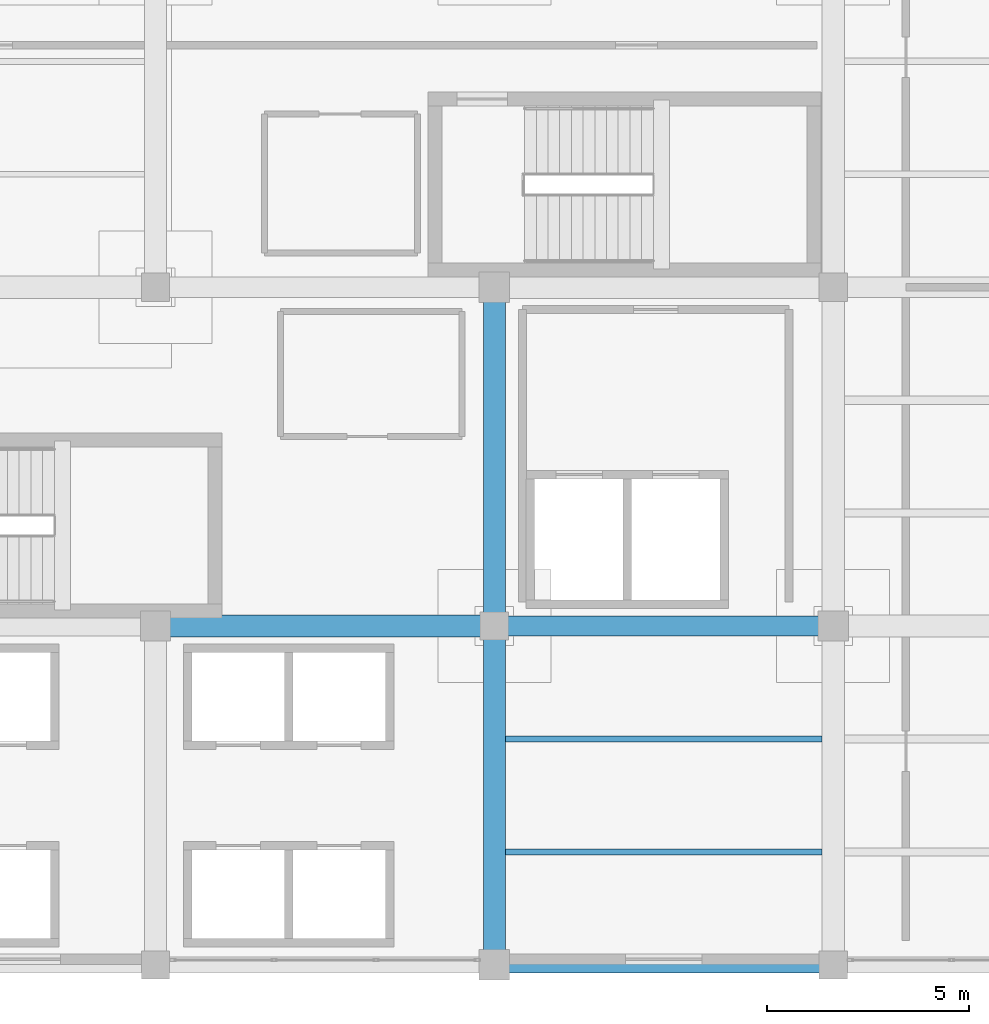
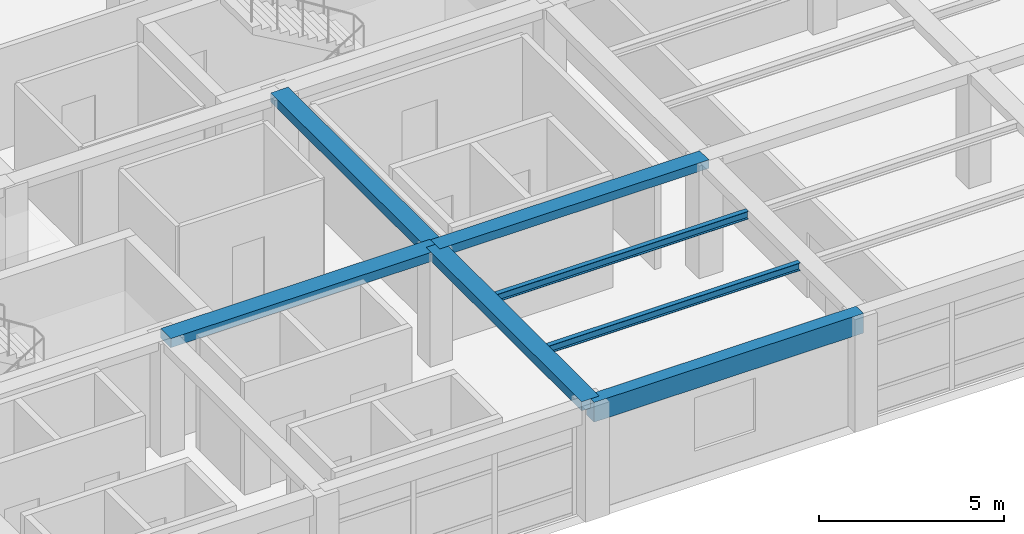
# One storey, part 5 of 26: 7 beams.
"""IFC4 building model written with IfcOpenShell, lengths in metres."""

from ifc_helpers import new_model, si_unit, direction, frame, origin, origin_2d, place, context, subcontext, project, spatial, rectangle, i_section, extrude, material, material_profile, profile_set, type_object, element, save


model = new_model("IFC4")

# Units and contexts
model_context = context("Model", 3, precision=1e-05, world=origin(), true_north=direction((0.0, 1.0)))
body_context = subcontext(model_context, "Body", "Model", "MODEL_VIEW")
ifc_project = project(units=[si_unit("LENGTHUNIT", "METRE"), si_unit("AREAUNIT", "SQUARE_METRE"), si_unit("VOLUMEUNIT", "CUBIC_METRE"), si_unit("PLANEANGLEUNIT", "RADIAN"), si_unit("MASSUNIT", "GRAM", prefix="KILO")], contexts=[model_context])

# Site, building, storey
site_placement = place(None, origin())
site = spatial("IfcSite", under=ifc_project, at=site_placement, CompositionType="ELEMENT")
building_placement = place(site_placement, origin())
building = spatial("IfcBuilding", under=site, at=building_placement, Name="Almacenes y Pasaje Nevantli", CompositionType="ELEMENT")
storey_placement = place(building_placement, frame((0.0, 0.0, 30.699951171875)))
storey = spatial("IfcBuildingStorey", under=building, at=storey_placement, Name="L07", CompositionType="ELEMENT", Elevation=30.699951171875)

# Beams
ifc_material_1 = material(Name="Concrete C35/45", Category="concrete")
ifc_material_profile_1 = material_profile(ifc_material_1, rectangle(XDim=0.39990234375, YDim=0.64990234375, at=origin_2d()), Name="RC-BM-400x650")
ifc_profile_set_1 = profile_set([ifc_material_profile_1], Name="Concrete C35/45")
beam_type_1 = type_object("IfcBeamType", Name="BM-RC-400x650", PredefinedType="SPANDREL", material=ifc_profile_set_1)
beam_1_placement = place(storey_placement, frame((134.39990234375, 67.199951171875, 3.39501953125), z_axis=(1.0, 0.0, 0.0), x_axis=(0.0, 1.0, 0.0)))
element("IfcBeam", 1, at=beam_1_placement, inside=storey, type_object=beam_type_1, Name="L07 East-West Reinforced Concrete Beam #3632", PredefinedType="SPANDREL", context=body_context, shape_type="SweptSolid", body=[
    extrude(rectangle(XDim=0.39990234375, YDim=0.64990234375, at=origin_2d()), origin(), (0.0, 0.0, 1.0), 8.400146484375),
])
ifc_material_2 = material(Name="Concrete C35/45", Category="concrete")
ifc_material_profile_2 = material_profile(ifc_material_2, rectangle(XDim=0.5, YDim=0.280029296875, at=origin_2d()), Name="RC-BM-500x280")
ifc_profile_set_2 = profile_set([ifc_material_profile_2], Name="Concrete C35/45")
beam_type_2 = type_object("IfcBeamType", Name="BM-RC-500x280", PredefinedType="BEAM", material=ifc_profile_set_2)
beam_2_placement = place(storey_placement, frame((134.39990234375, 75.60009765625, 3.580078125), z_axis=(1.0, 0.0, 0.0), x_axis=(0.0, 1.0, 0.0)))
element("IfcBeam", 2, at=beam_2_placement, inside=storey, type_object=beam_type_2, Name="L07 East-West Reinforced Concrete Beam #3638", PredefinedType="BEAM", context=body_context, shape_type="SweptSolid", body=[
    extrude(rectangle(XDim=0.5, YDim=0.280029296875, at=origin_2d()), origin(), (0.0, 0.0, 1.0), 8.400146484375),
])
ifc_material_3 = material(Name="Concrete C35/45", Category="concrete")
ifc_material_profile_3 = material_profile(ifc_material_3, rectangle(XDim=0.550048828125, YDim=0.300048828125, at=origin_2d()), Name="RC-BM-550x300")
ifc_profile_set_3 = profile_set([ifc_material_profile_3], Name="Concrete C35/45")
beam_type_3 = type_object("IfcBeamType", Name="BM-RC-550x300", PredefinedType="BEAM", material=ifc_profile_set_3)
beam_3_placement = place(storey_placement, frame((126.0, 75.60009765625, 3.570068359375), z_axis=(1.0, 0.0, 0.0), x_axis=(0.0, 1.0, 0.0)))
element("IfcBeam", 3, at=beam_3_placement, inside=storey, type_object=beam_type_3, Name="L07 East-West Reinforced Concrete Beam #3637", PredefinedType="BEAM", context=body_context, shape_type="SweptSolid", body=[
    extrude(rectangle(XDim=0.550048828125, YDim=0.300048828125, at=origin_2d()), origin(), (0.0, 0.0, 1.0), 8.39990234375),
])
beam_4_placement = place(storey_placement, frame((134.39990234375, 67.199951171875, 3.570068359375), z_axis=(0.0, 1.0, 0.0), x_axis=(-1.0, 0.0, 0.0)))
element("IfcBeam", 4, at=beam_4_placement, inside=storey, type_object=beam_type_3, Name="L07 North-South Reinforced Concrete Beam #3670", PredefinedType="BEAM", context=body_context, shape_type="SweptSolid", body=[
    extrude(rectangle(XDim=0.550048828125, YDim=0.300048828125, at=origin_2d()), origin(), (0.0, 0.0, 1.0), 8.400146484375),
])
beam_5_placement = place(storey_placement, frame((134.39990234375, 75.60009765625, 3.570068359375), z_axis=(0.0, 1.0, 0.0), x_axis=(-1.0, 0.0, 0.0)))
element("IfcBeam", 5, at=beam_5_placement, inside=storey, type_object=beam_type_3, Name="L07 North-South Reinforced Concrete Beam #3671", PredefinedType="BEAM", context=body_context, shape_type="SweptSolid", body=[
    extrude(rectangle(XDim=0.550048828125, YDim=0.300048828125, at=origin_2d()), origin(), (0.0, 0.0, 1.0), 8.39990234375),
])
ifc_material_4 = material(Name="Steel ASTM A992", Category="steel")
ifc_material_profile_4 = material_profile(ifc_material_4, i_section(OverallWidth=0.14697265625, OverallDepth=0.257080078125, WebThickness=0.006591796875, FlangeThickness=0.01123046875, at=origin_2d()), Name="IR 254x38.7")
ifc_profile_set_4 = profile_set([ifc_material_profile_4], Name="Steel ASTM A992")
beam_type_4 = type_object("IfcBeamType", Name="BM-STL-IR-254x38p7", PredefinedType="JOIST", material=ifc_profile_set_4)
for number, where, z_axis, x_axis, name in (
    (6, (134.675048828125, 70.0, 3.58349609375), (1.0, 0.0, 0.0), (0.0, 1.0, 0.0), "L07 Secondary Steel Floor Joist #1401"),
    (7, (134.675048828125, 72.800048828125, 3.58349609375), (1.0, 0.0, 0.0), (0.0, 1.0, 0.0), "L07 Secondary Steel Floor Joist #1402"),
):
    element("IfcBeam", number, at=place(storey_placement, frame(where, z_axis=z_axis, x_axis=x_axis)), inside=storey, type_object=beam_type_4, Name=name, PredefinedType="JOIST", context=body_context, shape_type="SweptSolid", body=[
        extrude(i_section(OverallWidth=0.14697265625, OverallDepth=0.257080078125, WebThickness=0.006591796875, FlangeThickness=0.01123046875, at=origin_2d()), origin(), (0.0, 0.0, 1.0), 7.849853515625),
    ])

save(model, "model.ifc")
